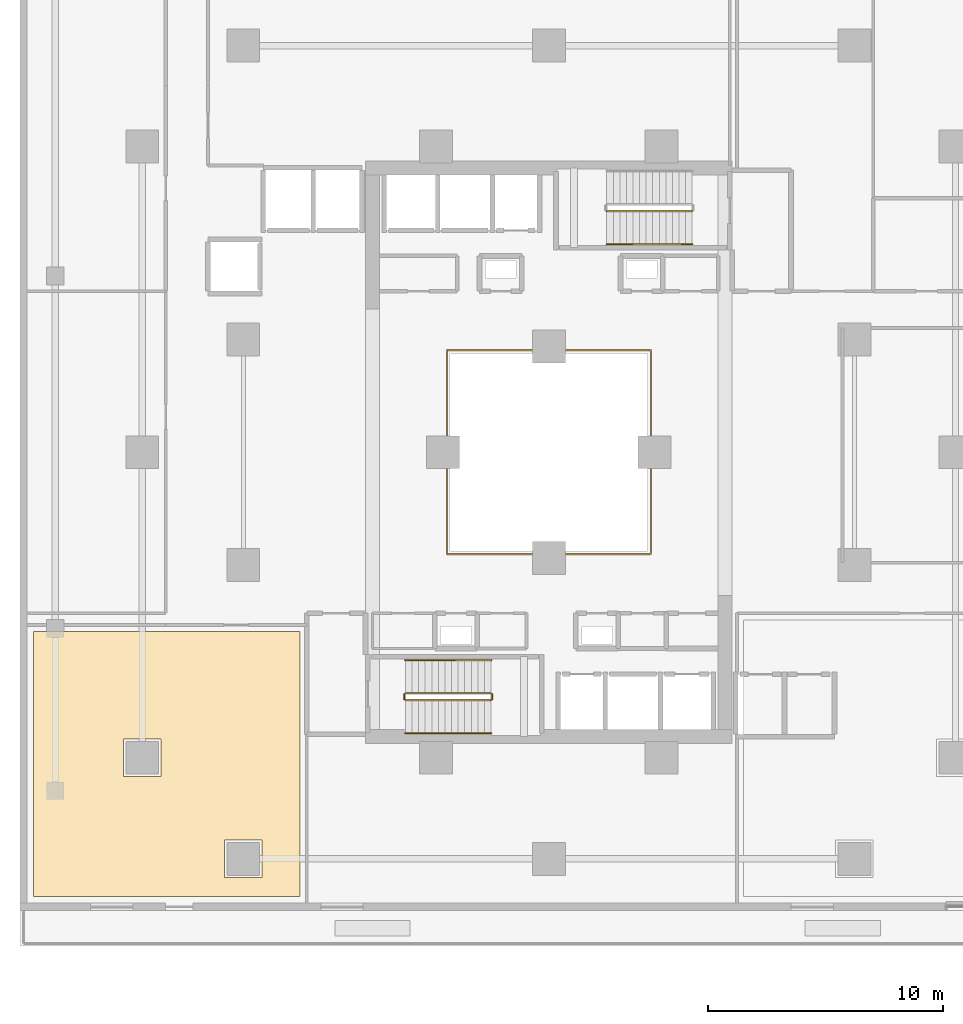
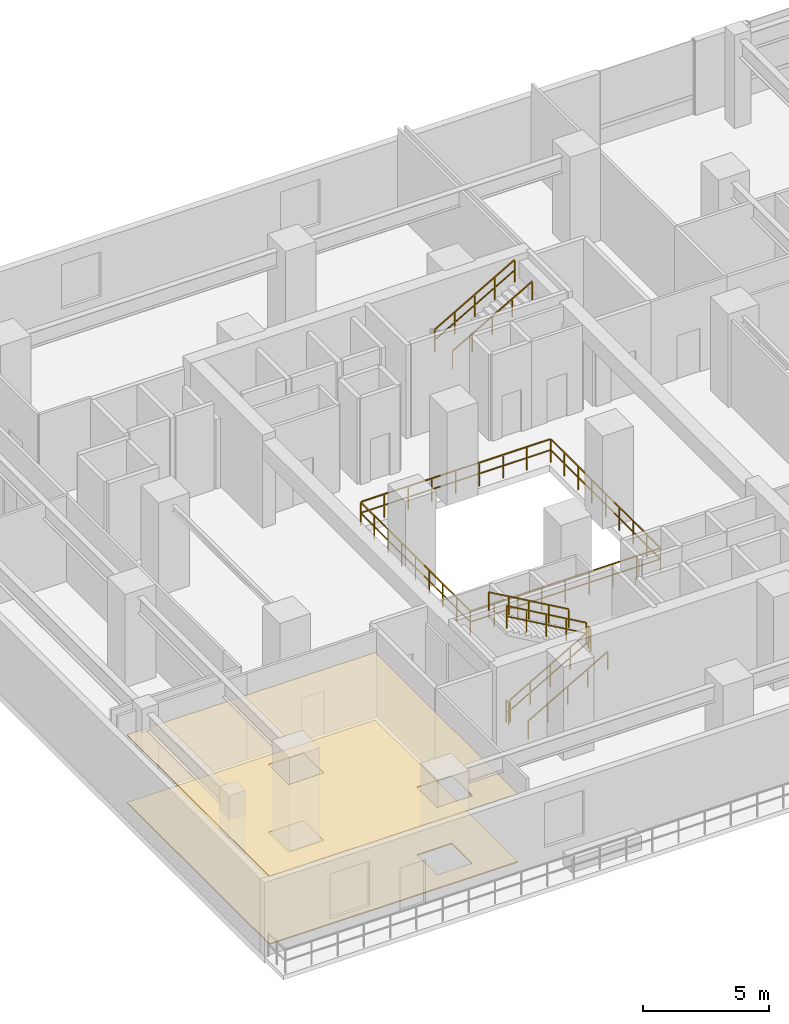
# One storey, part 21 of 25: 9 railings, 2 coverings.
"""IFC4 building model written with IfcOpenShell, lengths in metres."""

import ifcopenshell
import ifcopenshell.guid

model = None  # the IFC model being written
_history = None  # IfcOwnerHistory: only IFC2X3 demands one
_inside = {}  # id of a spatial element -> (the spatial element, [elements in it])
_under = {}  # id of a project, library or spatial element -> (it, [spatial elements below it])
_declared = {}  # id of a project -> (the project, [libraries it declares])
_typed = {}  # id of a type object -> (the type object, [elements of that type])
_made_of = {}  # id of a material, layer set ... -> (it, [elements and type objects made of it])


def new_model(schema):
    """Start an empty IFC model of exactly this schema.

    Asked for "IFC4X3", IfcOpenShell would pick the latest addendum, in which some entities
    have other attributes; the version numbers below select the first issue.
    IFC2X3 requires an IfcOwnerHistory on every rooted entity: one is made here for all.
    """
    global model, _history
    if schema == "IFC4X3":
        model = ifcopenshell.file(schema_version=(4, 3, 0, 0))
    else:
        model = ifcopenshell.file(schema=schema)
    _inside.clear()
    _under.clear()
    _declared.clear()
    _typed.clear()
    _made_of.clear()
    _history = None
    if model.schema == "IFC2X3":
        org = make("IfcOrganization", Name="unknown")
        user = make(
            "IfcPersonAndOrganization",
            ThePerson=make("IfcPerson", FamilyName="unknown"),
            TheOrganization=org,
        )
        app = make(
            "IfcApplication",
            ApplicationDeveloper=org,
            Version="unknown",
            ApplicationFullName="unknown",
            ApplicationIdentifier="unknown",
        )
        _history = make(
            "IfcOwnerHistory",
            OwningUser=user,
            OwningApplication=app,
            ChangeAction="ADDED",
            CreationDate=0,
        )
    return model


def make(cls, **values):
    """One entity of the class cls with the attributes given. An attribute that is None is left unset."""
    return model.create_entity(
        cls, **{name: value for name, value in values.items() if value is not None}
    )


def rooted(cls, **values):
    """An entity with a GlobalId (a new one), such as an element, a storey or a relation."""
    return make(cls, GlobalId=ifcopenshell.guid.new(), OwnerHistory=_history, **values)


def si_unit(unit_type, name, prefix=None):
    """IfcSIUnit, for example si_unit("LENGTHUNIT", "METRE", prefix="MILLI")."""
    return make("IfcSIUnit", UnitType=unit_type, Prefix=prefix, Name=name)


def assignment(units):
    """IfcUnitAssignment: the units of a project."""
    return None if units is None else make("IfcUnitAssignment", Units=units)


def point(xyz):
    """IfcCartesianPoint."""
    return None if xyz is None else make("IfcCartesianPoint", Coordinates=xyz)


def direction(xyz):
    """IfcDirection."""
    return None if xyz is None else make("IfcDirection", DirectionRatios=xyz)


def frame(location, z_axis=None, x_axis=None):
    """IfcAxis2Placement3D, a coordinate frame: its origin and axes. An axis left out is left unset."""
    return make(
        "IfcAxis2Placement3D",
        Location=point(location),
        Axis=direction(z_axis),
        RefDirection=direction(x_axis),
    )


def frame_2d(location, x_axis=None):
    """IfcAxis2Placement2D, a coordinate frame in the plane: its origin and x axis."""
    return make(
        "IfcAxis2Placement2D", Location=point(location), RefDirection=direction(x_axis)
    )


def origin():
    """The frame at (0, 0, 0) with its axes left unset."""
    return frame((0.0, 0.0, 0.0))


def origin_2d():
    """The frame at (0, 0) in the plane with its x axis left unset."""
    return frame_2d((0.0, 0.0))


def place(relative_to, where):
    """IfcLocalPlacement: puts the frame where relative to a parent placement (None: the world)."""
    return make(
        "IfcLocalPlacement", PlacementRelTo=relative_to, RelativePlacement=where
    )


def context(
    kind, dimensions, precision=None, world=None, true_north=None, identifier=None
):
    """IfcGeometricRepresentationContext, for example the 3D "Model" context."""
    return make(
        "IfcGeometricRepresentationContext",
        ContextIdentifier=identifier,
        ContextType=kind,
        CoordinateSpaceDimension=dimensions,
        Precision=precision,
        WorldCoordinateSystem=world,
        TrueNorth=true_north,
    )


def subcontext(parent, identifier, kind, view, scale=None):
    """IfcGeometricRepresentationSubContext, for example "Body" below "Model"."""
    return make(
        "IfcGeometricRepresentationSubContext",
        ContextIdentifier=identifier,
        ContextType=kind,
        ParentContext=parent,
        TargetScale=scale,
        TargetView=view,
    )


def project(units=None, contexts=None):
    """IfcProject with its units and contexts."""
    return rooted(
        "IfcProject",
        Name="project",
        RepresentationContexts=contexts,
        UnitsInContext=assignment(units),
    )


def spatial(cls, under=None, at=None, **own):
    """A site, building, storey or space (cls), placed at a placement, below another one or the project."""
    s = rooted(cls, ObjectPlacement=at, **own)
    if under is not None:
        _under.setdefault(under.id(), (under, []))[1].append(s)
    return s


def polyline(points):
    """IfcPolyline through the points."""
    return make("IfcPolyline", Points=[point(p) for p in points])


def profile(cls, at=None, kind="AREA", **sizes):
    """A parametric profile (cls). Its sizes go by their IFC names, for example OverallWidth=200.0."""
    return make(cls, ProfileType=kind, Position=at, **sizes)


def rectangle(**sizes):
    """IfcRectangleProfileDef."""
    return profile("IfcRectangleProfileDef", **sizes)


def outline(outer, holes=None, kind="AREA"):
    """IfcArbitraryClosedProfileDef: a profile drawn as a closed curve; with holes, ...WithVoids."""
    if holes is None:
        return make("IfcArbitraryClosedProfileDef", ProfileType=kind, OuterCurve=outer)
    return make(
        "IfcArbitraryProfileDefWithVoids",
        ProfileType=kind,
        OuterCurve=outer,
        InnerCurves=holes,
    )


def extrude(swept, where, along, depth):
    """IfcExtrudedAreaSolid: the profile swept, set in the frame where, extruded along a direction by depth."""
    return make(
        "IfcExtrudedAreaSolid",
        SweptArea=swept,
        Position=where,
        ExtrudedDirection=direction(along),
        Depth=depth,
    )


def shape(context_of_items, identifier, shape_type, items):
    """IfcShapeRepresentation: the items that make up one representation, for example the "Body"."""
    return make(
        "IfcShapeRepresentation",
        ContextOfItems=context_of_items,
        RepresentationIdentifier=identifier,
        RepresentationType=shape_type,
        Items=items,
    )


def material(Name=None, Category=None):
    """IfcMaterial."""
    return make("IfcMaterial", Name=Name, Category=Category)


def layer(
    of_material, thickness, ventilated=None, Name=None, Category=None, Priority=None
):
    """IfcMaterialLayer: one layer of a wall or slab, of a material (None: an air gap)."""
    return make(
        "IfcMaterialLayer",
        Material=of_material,
        LayerThickness=thickness,
        IsVentilated=ventilated,
        Name=Name,
        Category=Category,
        Priority=Priority,
    )


def layer_set(layers, Name=None):
    """IfcMaterialLayerSet."""
    return make("IfcMaterialLayerSet", MaterialLayers=layers, LayerSetName=Name)


def made_of(thing, what):
    """Note that an element or type object is made of a material, layer set ...; save() writes the relation."""
    if what is not None:
        _made_of.setdefault(what.id(), (what, []))[1].append(thing)
    return thing


def type_object(cls, material=None, **own):
    """A type object (cls), such as IfcWallType, which elements share."""
    return made_of(rooted(cls, **own), material)


def element(
    cls,
    number,
    at=None,
    inside=None,
    cuts=None,
    type_object=None,
    material=None,
    context=None,
    identifier="Body",
    shape_type=None,
    held_by="IfcProductDefinitionShape",
    body=None,
    shapes=None,
    **own,
):
    """One element of the class cls, such as IfcWall. Its Tag is "e" and its number.

    at: its placement. inside: the storey or other place that contains it. cuts: it is an
    opening in that element (IfcRelVoidsElement). A single representation is given by context,
    identifier, shape_type and body (its items); several are given by shapes. held_by: the class
    of the entity that holds the representations. save() writes the other relations.
    """
    e = rooted(cls, Tag="e%d" % number, ObjectPlacement=at, **own)
    if body is not None:
        shapes = [shape(context, identifier, shape_type, body)]
    if shapes is not None:
        e.Representation = make(held_by, Representations=shapes)
    if inside is not None:
        _inside.setdefault(inside.id(), (inside, []))[1].append(e)
    if cuts is not None:
        rooted(
            "IfcRelVoidsElement", RelatingBuildingElement=cuts, RelatedOpeningElement=e
        )
    if type_object is not None:
        _typed.setdefault(type_object.id(), (type_object, []))[1].append(e)
    return made_of(e, material)


def aggregate(whole, parts):
    """IfcRelAggregates: a whole, such as a stair, and the parts it consists of."""
    return rooted("IfcRelAggregates", RelatingObject=whole, RelatedObjects=parts)


def save(model, path):
    """Write the relations noted so far, then the file.

    IfcRelAggregates (storeys below a building ...), IfcRelContainedInSpatialStructure (elements
    in a storey), IfcRelDefinesByType, IfcRelAssociatesMaterial and IfcRelDeclares: one each for
    every whole, place, type object, material and project.
    """
    for whole, parts in _under.values():
        aggregate(whole, parts)
    for where, things in _inside.values():
        rooted(
            "IfcRelContainedInSpatialStructure",
            RelatedElements=things,
            RelatingStructure=where,
        )
    for kind, things in _typed.values():
        rooted("IfcRelDefinesByType", RelatedObjects=things, RelatingType=kind)
    for what, things in _made_of.values():
        rooted("IfcRelAssociatesMaterial", RelatedObjects=things, RelatingMaterial=what)
    for by, libraries in _declared.values():
        rooted("IfcRelDeclares", RelatingContext=by, RelatedDefinitions=libraries)
    model.write(path)


model = new_model("IFC4")

# Units and contexts
model_context = context("Model", 3, precision=1e-05, world=origin(), true_north=direction((0.0, 1.0)))
body_context = subcontext(model_context, "Body", "Model", "MODEL_VIEW")
ifc_project = project(units=[si_unit("LENGTHUNIT", "METRE"), si_unit("AREAUNIT", "SQUARE_METRE"), si_unit("VOLUMEUNIT", "CUBIC_METRE"), si_unit("PLANEANGLEUNIT", "RADIAN"), si_unit("MASSUNIT", "GRAM", prefix="KILO")], contexts=[model_context])

# Site, building, storey
site_placement = place(None, origin())
site = spatial("IfcSite", under=ifc_project, at=site_placement, CompositionType="ELEMENT")
building_placement = place(site_placement, origin())
building = spatial("IfcBuilding", under=site, at=building_placement, Name="Thornwick Lancets Civic Towers", CompositionType="ELEMENT")
storey_placement = place(building_placement, frame((0.0, 0.0, 9.60009765625)))
storey = spatial("IfcBuildingStorey", under=building, at=storey_placement, Name="L02", CompositionType="ELEMENT", Elevation=9.60009765625)

# Coverings
ifc_material_1 = material(Name="Perforated mineral acoustic ceiling tile")
ifc_layer_1 = layer(ifc_material_1, 0.0400390625, Name="Perforated mineral acoustic ceiling tile")
ifc_layer_set_1 = layer_set([ifc_layer_1], Name="Perforated mineral acoustic ceiling tile")
covering_type_1 = type_object("IfcCoveringType", Name="COV_CEIL_ACOUSTIC", PredefinedType="CEILING", material=ifc_layer_set_1)
covering_1_placement = place(storey_placement, frame((0.0, 0.0, 3.27392578125)))
element("IfcCovering", 1, at=covering_1_placement, inside=storey, type_object=covering_type_1, Name="L02 Ministry Policy Directorate West Ceiling", PredefinedType="CEILING", context=body_context, shape_type="SweptSolid", body=[
    extrude(outline(polyline([(14.919921875, 8.10009765625), (3.580078125, 8.10009765625), (3.580078125, 19.3701171875), (14.919921875, 19.3701171875), (14.919921875, 8.10009765625)]), holes=[polyline([(11.699951171875, 8.89990234375), (13.300048828125, 8.89990234375), (13.300048828125, 10.5), (11.699951171875, 10.5), (11.699951171875, 8.89990234375)]), polyline([(7.39990234375, 13.199951171875), (9.0, 13.199951171875), (9.0, 14.800048828125), (7.39990234375, 14.800048828125), (7.39990234375, 13.199951171875)])]), origin(), (0.0, 0.0, 1.0), 0.0400390625),
])
ifc_material_2 = material(Name="Calcium-sulfate raised access floor panel")
ifc_layer_2 = layer(ifc_material_2, 0.050048828125, Name="Calcium-sulfate raised access floor panel")
ifc_layer_set_2 = layer_set([ifc_layer_2], Name="Calcium-sulfate raised access floor panel")
covering_type_2 = type_object("IfcCoveringType", Name="COV_FLOOR_RAISED", PredefinedType="FLOORING", material=ifc_layer_set_2)
covering_2_placement = place(storey_placement, origin())
element("IfcCovering", 2, at=covering_2_placement, inside=storey, type_object=covering_type_2, Name="L02 Ministry Policy Directorate West Raised Access Flooring", PredefinedType="FLOORING", context=body_context, shape_type="SweptSolid", body=[
    extrude(outline(polyline([(14.919921875, 8.10009765625), (3.580078125, 8.10009765625), (3.580078125, 19.3701171875), (14.919921875, 19.3701171875), (14.919921875, 8.10009765625)]), holes=[polyline([(11.699951171875, 8.89990234375), (13.300048828125, 8.89990234375), (13.300048828125, 10.5), (11.699951171875, 10.5), (11.699951171875, 8.89990234375)]), polyline([(7.39990234375, 13.199951171875), (9.0, 13.199951171875), (9.0, 14.800048828125), (7.39990234375, 14.800048828125), (7.39990234375, 13.199951171875)])]), origin(), (0.0, 0.0, 1.0), 0.0498046875),
])

# Railings
ifc_material_3 = material(Name="Laminated glass and bronze steel S355", Category="steel")
railing_type_1 = type_object("IfcRailingType", Name="RAIL_ATRIUM_GUARD", PredefinedType="BALUSTRADE", material=ifc_material_3)
railing_1_placement = place(storey_placement, frame((21.159912109375, 22.659912109375, 0.0)))
element("IfcRailing", 3, at=railing_1_placement, inside=storey, type_object=railing_type_1, Name="L02 Tower A Central Atrium Guard Balustrade", PredefinedType="BALUSTRADE", context=body_context, shape_type="SweptSolid", body=[
    extrude(rectangle(XDim=0.048095703125, YDim=0.048095703125, at=origin_2d()), frame((0.0, 0.0, 1.1259765625), z_axis=(1.0, 0.0, 0.0), x_axis=(0.0, 1.0, 0.0)), (0.0, 0.0, 1.0), 8.64892578125),
    extrude(rectangle(XDim=0.0419921875, YDim=0.0419921875, at=origin_2d()), frame((0.03759765625, 0.0, 0.597900390625), z_axis=(1.0, 0.0, 0.0), x_axis=(0.0, 1.0, 0.0)), (0.0, 0.0, 1.0), 1.010009765625),
    extrude(rectangle(XDim=0.0419921875, YDim=0.0419921875, at=origin_2d()), frame((1.12255859375, 0.0, 0.597900390625), z_axis=(1.0, 0.0, 0.0), x_axis=(0.0, 1.0, 0.0)), (0.0, 0.0, 1.0), 1.010009765625),
    extrude(rectangle(XDim=0.0419921875, YDim=0.0419921875, at=origin_2d()), frame((2.20751953125, 0.0, 0.597900390625), z_axis=(1.0, 0.0, 0.0), x_axis=(0.0, 1.0, 0.0)), (0.0, 0.0, 1.0), 1.010009765625),
    extrude(rectangle(XDim=0.0419921875, YDim=0.0419921875, at=origin_2d()), frame((3.29248046875, 0.0, 0.597900390625), z_axis=(1.0, 0.0, 0.0), x_axis=(0.0, 1.0, 0.0)), (0.0, 0.0, 1.0), 1.010009765625),
    extrude(rectangle(XDim=0.0419921875, YDim=0.0419921875, at=origin_2d()), frame((4.377685546875, 0.0, 0.597900390625), z_axis=(1.0, 0.0, 0.0), x_axis=(0.0, 1.0, 0.0)), (0.0, 0.0, 1.0), 1.010009765625),
    extrude(rectangle(XDim=0.0419921875, YDim=0.0419921875, at=origin_2d()), frame((5.462646484375, 0.0, 0.597900390625), z_axis=(1.0, 0.0, 0.0), x_axis=(0.0, 1.0, 0.0)), (0.0, 0.0, 1.0), 1.010009765625),
    extrude(rectangle(XDim=0.0419921875, YDim=0.0419921875, at=origin_2d()), frame((6.547607421875, 0.0, 0.597900390625), z_axis=(1.0, 0.0, 0.0), x_axis=(0.0, 1.0, 0.0)), (0.0, 0.0, 1.0), 1.010009765625),
    extrude(rectangle(XDim=0.0419921875, YDim=0.0419921875, at=origin_2d()), frame((7.632568359375, 0.0, 0.597900390625), z_axis=(1.0, 0.0, 0.0), x_axis=(0.0, 1.0, 0.0)), (0.0, 0.0, 1.0), 1.010009765625),
    extrude(rectangle(XDim=0.048095703125, YDim=0.048095703125, at=origin_2d()), frame((8.68017578125, 0.03125, 1.1259765625), z_axis=(0.0, 1.0, 0.0), x_axis=(-1.0, 0.0, 0.0)), (0.0, 0.0, 1.0), 8.61767578125),
    extrude(rectangle(XDim=0.0419921875, YDim=0.0419921875, at=origin_2d()), frame((8.68017578125, 0.03759765625, 0.597900390625), z_axis=(0.0, 1.0, 0.0), x_axis=(-1.0, 0.0, 0.0)), (0.0, 0.0, 1.0), 1.010009765625),
    extrude(rectangle(XDim=0.0419921875, YDim=0.0419921875, at=origin_2d()), frame((8.68017578125, 1.12255859375, 0.597900390625), z_axis=(0.0, 1.0, 0.0), x_axis=(-1.0, 0.0, 0.0)), (0.0, 0.0, 1.0), 1.010009765625),
    extrude(rectangle(XDim=0.0419921875, YDim=0.0419921875, at=origin_2d()), frame((8.68017578125, 2.20751953125, 0.597900390625), z_axis=(0.0, 1.0, 0.0), x_axis=(-1.0, 0.0, 0.0)), (0.0, 0.0, 1.0), 1.010009765625),
    extrude(rectangle(XDim=0.0419921875, YDim=0.0419921875, at=origin_2d()), frame((8.68017578125, 3.29248046875, 0.597900390625), z_axis=(0.0, 1.0, 0.0), x_axis=(-1.0, 0.0, 0.0)), (0.0, 0.0, 1.0), 1.010009765625),
    extrude(rectangle(XDim=0.0419921875, YDim=0.0419921875, at=origin_2d()), frame((8.68017578125, 4.377685546875, 0.597900390625), z_axis=(0.0, 1.0, 0.0), x_axis=(-1.0, 0.0, 0.0)), (0.0, 0.0, 1.0), 1.010009765625),
    extrude(rectangle(XDim=0.0419921875, YDim=0.0419921875, at=origin_2d()), frame((8.68017578125, 5.462646484375, 0.597900390625), z_axis=(0.0, 1.0, 0.0), x_axis=(-1.0, 0.0, 0.0)), (0.0, 0.0, 1.0), 1.010009765625),
    extrude(rectangle(XDim=0.0419921875, YDim=0.0419921875, at=origin_2d()), frame((8.68017578125, 6.547607421875, 0.597900390625), z_axis=(0.0, 1.0, 0.0), x_axis=(-1.0, 0.0, 0.0)), (0.0, 0.0, 1.0), 1.010009765625),
    extrude(rectangle(XDim=0.0419921875, YDim=0.0419921875, at=origin_2d()), frame((8.68017578125, 7.632568359375, 0.597900390625), z_axis=(0.0, 1.0, 0.0), x_axis=(-1.0, 0.0, 0.0)), (0.0, 0.0, 1.0), 1.010009765625),
    extrude(rectangle(XDim=0.048095703125, YDim=0.048095703125, at=origin_2d()), frame((8.64892578125, 8.68017578125, 1.1259765625), z_axis=(-1.0, 0.0, 0.0), x_axis=(0.0, -1.0, 0.0)), (0.0, 0.0, 1.0), 8.61767578125),
    extrude(rectangle(XDim=0.0419921875, YDim=0.0419921875, at=origin_2d()), frame((8.642578125, 8.68017578125, 0.597900390625), z_axis=(-1.0, 0.0, 0.0), x_axis=(0.0, -1.0, 0.0)), (0.0, 0.0, 1.0), 1.010009765625),
    extrude(rectangle(XDim=0.0419921875, YDim=0.0419921875, at=origin_2d()), frame((7.5576171875, 8.68017578125, 0.597900390625), z_axis=(-1.0, 0.0, 0.0), x_axis=(0.0, -1.0, 0.0)), (0.0, 0.0, 1.0), 1.010009765625),
    extrude(rectangle(XDim=0.0419921875, YDim=0.0419921875, at=origin_2d()), frame((6.47265625, 8.68017578125, 0.597900390625), z_axis=(-1.0, 0.0, 0.0), x_axis=(0.0, -1.0, 0.0)), (0.0, 0.0, 1.0), 1.010009765625),
    extrude(rectangle(XDim=0.0419921875, YDim=0.0419921875, at=origin_2d()), frame((5.3876953125, 8.68017578125, 0.597900390625), z_axis=(-1.0, 0.0, 0.0), x_axis=(0.0, -1.0, 0.0)), (0.0, 0.0, 1.0), 1.010009765625),
    extrude(rectangle(XDim=0.0419921875, YDim=0.0419921875, at=origin_2d()), frame((4.302490234375, 8.68017578125, 0.597900390625), z_axis=(-1.0, 0.0, 0.0), x_axis=(0.0, -1.0, 0.0)), (0.0, 0.0, 1.0), 1.010009765625),
    extrude(rectangle(XDim=0.0419921875, YDim=0.0419921875, at=origin_2d()), frame((3.217529296875, 8.68017578125, 0.597900390625), z_axis=(-1.0, 0.0, 0.0), x_axis=(0.0, -1.0, 0.0)), (0.0, 0.0, 1.0), 1.010009765625),
    extrude(rectangle(XDim=0.0419921875, YDim=0.0419921875, at=origin_2d()), frame((2.132568359375, 8.68017578125, 0.597900390625), z_axis=(-1.0, 0.0, 0.0), x_axis=(0.0, -1.0, 0.0)), (0.0, 0.0, 1.0), 1.010009765625),
    extrude(rectangle(XDim=0.0419921875, YDim=0.0419921875, at=origin_2d()), frame((1.047607421875, 8.68017578125, 0.597900390625), z_axis=(-1.0, 0.0, 0.0), x_axis=(0.0, -1.0, 0.0)), (0.0, 0.0, 1.0), 1.010009765625),
    extrude(rectangle(XDim=0.048095703125, YDim=0.048095703125, at=origin_2d()), frame((0.0, 8.64892578125, 1.1259765625), z_axis=(0.0, -1.0, 0.0), x_axis=(1.0, 0.0, 0.0)), (0.0, 0.0, 1.0), 8.64892578125),
    extrude(rectangle(XDim=0.0419921875, YDim=0.0419921875, at=origin_2d()), frame((0.0, 8.642578125, 0.597900390625), z_axis=(0.0, -1.0, 0.0), x_axis=(1.0, 0.0, 0.0)), (0.0, 0.0, 1.0), 1.010009765625),
    extrude(rectangle(XDim=0.0419921875, YDim=0.0419921875, at=origin_2d()), frame((0.0, 7.5576171875, 0.597900390625), z_axis=(0.0, -1.0, 0.0), x_axis=(1.0, 0.0, 0.0)), (0.0, 0.0, 1.0), 1.010009765625),
    extrude(rectangle(XDim=0.0419921875, YDim=0.0419921875, at=origin_2d()), frame((0.0, 6.47265625, 0.597900390625), z_axis=(0.0, -1.0, 0.0), x_axis=(1.0, 0.0, 0.0)), (0.0, 0.0, 1.0), 1.010009765625),
    extrude(rectangle(XDim=0.0419921875, YDim=0.0419921875, at=origin_2d()), frame((0.0, 5.3876953125, 0.597900390625), z_axis=(0.0, -1.0, 0.0), x_axis=(1.0, 0.0, 0.0)), (0.0, 0.0, 1.0), 1.010009765625),
    extrude(rectangle(XDim=0.0419921875, YDim=0.0419921875, at=origin_2d()), frame((0.0, 4.302490234375, 0.597900390625), z_axis=(0.0, -1.0, 0.0), x_axis=(1.0, 0.0, 0.0)), (0.0, 0.0, 1.0), 1.010009765625),
    extrude(rectangle(XDim=0.0419921875, YDim=0.0419921875, at=origin_2d()), frame((0.0, 3.217529296875, 0.597900390625), z_axis=(0.0, -1.0, 0.0), x_axis=(1.0, 0.0, 0.0)), (0.0, 0.0, 1.0), 1.010009765625),
    extrude(rectangle(XDim=0.0419921875, YDim=0.0419921875, at=origin_2d()), frame((0.0, 2.132568359375, 0.597900390625), z_axis=(0.0, -1.0, 0.0), x_axis=(1.0, 0.0, 0.0)), (0.0, 0.0, 1.0), 1.010009765625),
    extrude(rectangle(XDim=0.0419921875, YDim=0.0419921875, at=origin_2d()), frame((0.0, 1.047607421875, 0.597900390625), z_axis=(0.0, -1.0, 0.0), x_axis=(1.0, 0.0, 0.0)), (0.0, 0.0, 1.0), 1.010009765625),
    extrude(rectangle(XDim=0.0419921875, YDim=0.0419921875, at=origin_2d()), origin(), (0.0, 0.0, 1.0), 1.095703125),
    extrude(rectangle(XDim=0.0419921875, YDim=0.0419921875, at=origin_2d()), frame((1.0849609375, 0.0, 0.0)), (0.0, 0.0, 1.0), 1.095703125),
    extrude(rectangle(XDim=0.0419921875, YDim=0.0419921875, at=origin_2d()), frame((2.169921875, 0.0, 0.0)), (0.0, 0.0, 1.0), 1.095703125),
    extrude(rectangle(XDim=0.0419921875, YDim=0.0419921875, at=origin_2d()), frame((3.255126953125, 0.0, 0.0)), (0.0, 0.0, 1.0), 1.095703125),
    extrude(rectangle(XDim=0.0419921875, YDim=0.0419921875, at=origin_2d()), frame((4.340087890625, 0.0, 0.0)), (0.0, 0.0, 1.0), 1.095703125),
    extrude(rectangle(XDim=0.0419921875, YDim=0.0419921875, at=origin_2d()), frame((5.425048828125, 0.0, 0.0)), (0.0, 0.0, 1.0), 1.095703125),
    extrude(rectangle(XDim=0.0419921875, YDim=0.0419921875, at=origin_2d()), frame((6.51025390625, 0.0, 0.0)), (0.0, 0.0, 1.0), 1.095703125),
    extrude(rectangle(XDim=0.0419921875, YDim=0.0419921875, at=origin_2d()), frame((7.59521484375, 0.0, 0.0)), (0.0, 0.0, 1.0), 1.095703125),
    extrude(rectangle(XDim=0.0419921875, YDim=0.0419921875, at=origin_2d()), frame((8.68017578125, 0.0, 0.0)), (0.0, 0.0, 1.0), 1.095703125),
    extrude(rectangle(XDim=0.0419921875, YDim=0.0419921875, at=origin_2d()), frame((8.68017578125, 1.0849609375, 0.0)), (0.0, 0.0, 1.0), 1.095703125),
    extrude(rectangle(XDim=0.0419921875, YDim=0.0419921875, at=origin_2d()), frame((8.68017578125, 2.169921875, 0.0)), (0.0, 0.0, 1.0), 1.095703125),
    extrude(rectangle(XDim=0.0419921875, YDim=0.0419921875, at=origin_2d()), frame((8.68017578125, 3.255126953125, 0.0)), (0.0, 0.0, 1.0), 1.095703125),
    extrude(rectangle(XDim=0.0419921875, YDim=0.0419921875, at=origin_2d()), frame((8.68017578125, 4.340087890625, 0.0)), (0.0, 0.0, 1.0), 1.095703125),
    extrude(rectangle(XDim=0.0419921875, YDim=0.0419921875, at=origin_2d()), frame((8.68017578125, 5.425048828125, 0.0)), (0.0, 0.0, 1.0), 1.095703125),
    extrude(rectangle(XDim=0.0419921875, YDim=0.0419921875, at=origin_2d()), frame((8.68017578125, 6.51025390625, 0.0)), (0.0, 0.0, 1.0), 1.095703125),
    extrude(rectangle(XDim=0.0419921875, YDim=0.0419921875, at=origin_2d()), frame((8.68017578125, 7.59521484375, 0.0)), (0.0, 0.0, 1.0), 1.095703125),
    extrude(rectangle(XDim=0.0419921875, YDim=0.0419921875, at=origin_2d()), frame((8.68017578125, 8.68017578125, 0.0)), (0.0, 0.0, 1.0), 1.095703125),
    extrude(rectangle(XDim=0.0419921875, YDim=0.0419921875, at=origin_2d()), frame((7.59521484375, 8.68017578125, 0.0)), (0.0, 0.0, 1.0), 1.095703125),
    extrude(rectangle(XDim=0.0419921875, YDim=0.0419921875, at=origin_2d()), frame((6.51025390625, 8.68017578125, 0.0)), (0.0, 0.0, 1.0), 1.095703125),
    extrude(rectangle(XDim=0.0419921875, YDim=0.0419921875, at=origin_2d()), frame((5.425048828125, 8.68017578125, 0.0)), (0.0, 0.0, 1.0), 1.095703125),
    extrude(rectangle(XDim=0.0419921875, YDim=0.0419921875, at=origin_2d()), frame((4.340087890625, 8.68017578125, 0.0)), (0.0, 0.0, 1.0), 1.095703125),
    extrude(rectangle(XDim=0.0419921875, YDim=0.0419921875, at=origin_2d()), frame((3.255126953125, 8.68017578125, 0.0)), (0.0, 0.0, 1.0), 1.095703125),
    extrude(rectangle(XDim=0.0419921875, YDim=0.0419921875, at=origin_2d()), frame((2.169921875, 8.68017578125, 0.0)), (0.0, 0.0, 1.0), 1.095703125),
    extrude(rectangle(XDim=0.0419921875, YDim=0.0419921875, at=origin_2d()), frame((1.0849609375, 8.68017578125, 0.0)), (0.0, 0.0, 1.0), 1.095703125),
    extrude(rectangle(XDim=0.0419921875, YDim=0.0419921875, at=origin_2d()), frame((0.0, 8.68017578125, 0.0)), (0.0, 0.0, 1.0), 1.095703125),
    extrude(rectangle(XDim=0.0419921875, YDim=0.0419921875, at=origin_2d()), frame((0.0, 7.59521484375, 0.0)), (0.0, 0.0, 1.0), 1.095703125),
    extrude(rectangle(XDim=0.0419921875, YDim=0.0419921875, at=origin_2d()), frame((0.0, 6.51025390625, 0.0)), (0.0, 0.0, 1.0), 1.095703125),
    extrude(rectangle(XDim=0.0419921875, YDim=0.0419921875, at=origin_2d()), frame((0.0, 5.425048828125, 0.0)), (0.0, 0.0, 1.0), 1.095703125),
    extrude(rectangle(XDim=0.0419921875, YDim=0.0419921875, at=origin_2d()), frame((0.0, 4.340087890625, 0.0)), (0.0, 0.0, 1.0), 1.095703125),
    extrude(rectangle(XDim=0.0419921875, YDim=0.0419921875, at=origin_2d()), frame((0.0, 3.255126953125, 0.0)), (0.0, 0.0, 1.0), 1.095703125),
    extrude(rectangle(XDim=0.0419921875, YDim=0.0419921875, at=origin_2d()), frame((0.0, 2.169921875, 0.0)), (0.0, 0.0, 1.0), 1.095703125),
    extrude(rectangle(XDim=0.0419921875, YDim=0.0419921875, at=origin_2d()), frame((0.0, 1.0849609375, 0.0)), (0.0, 0.0, 1.0), 1.095703125),
])
ifc_material_4 = material(Name="Brushed stainless steel S355", Category="steel")
railing_type_2 = type_object("IfcRailingType", Name="RAIL_HANDRAIL", PredefinedType="HANDRAIL", material=ifc_material_4)
railing_2_placement = place(storey_placement, frame((19.39990234375, 15.050048828125, 0.16064453125)))
element("IfcRailing", 4, at=railing_2_placement, inside=storey, type_object=railing_type_2, Name="L02 ST-A1 stair handrail 1", PredefinedType="HANDRAIL", context=body_context, shape_type="SweptSolid", body=[
    extrude(rectangle(XDim=0.048095703125, YDim=0.048095703125, at=origin_2d()), frame((0.0, 0.0, 0.8857421875), z_axis=(0.867289372828, 0.0, 0.497804322781), x_axis=(0.0, 1.0, 0.0)), (0.0, 0.0, 1.0), 4.197021484375),
    extrude(rectangle(XDim=0.0419921875, YDim=0.0419921875, at=origin_2d()), origin(), (0.0, 0.0, 1.0), 0.855712890625),
    extrude(rectangle(XDim=0.0419921875, YDim=0.0419921875, at=origin_2d()), frame((0.91015625, 0.0, 0.5224609375)), (0.0, 0.0, 1.0), 0.855712890625),
    extrude(rectangle(XDim=0.0419921875, YDim=0.0419921875, at=origin_2d()), frame((1.820068359375, 0.0, 1.044677734375)), (0.0, 0.0, 1.0), 0.855712890625),
    extrude(rectangle(XDim=0.0419921875, YDim=0.0419921875, at=origin_2d()), frame((2.72998046875, 0.0, 1.56689453125)), (0.0, 0.0, 1.0), 0.855712890625),
    extrude(rectangle(XDim=0.0419921875, YDim=0.0419921875, at=origin_2d()), frame((3.64013671875, 0.0, 2.08935546875)), (0.0, 0.0, 1.0), 0.855712890625),
])
railing_3_placement = place(storey_placement, frame((23.0400390625, 18.14990234375, 2.41064453125)))
element("IfcRailing", 5, at=railing_3_placement, inside=storey, type_object=railing_type_2, Name="L02 ST-A1 stair handrail 2", PredefinedType="HANDRAIL", context=body_context, shape_type="SweptSolid", body=[
    extrude(rectangle(XDim=0.048095703125, YDim=0.048095703125, at=origin_2d()), frame((0.0, 0.0, 0.8857421875), z_axis=(-0.867289372828, 0.0, 0.497804322781), x_axis=(0.0, -1.0, 0.0)), (0.0, 0.0, 1.0), 4.197021484375),
    extrude(rectangle(XDim=0.0419921875, YDim=0.0419921875, at=origin_2d()), origin(), (0.0, 0.0, 1.0), 0.855712890625),
    extrude(rectangle(XDim=0.0419921875, YDim=0.0419921875, at=origin_2d()), frame((-0.91015625, 0.0, 0.5224609375)), (0.0, 0.0, 1.0), 0.855712890625),
    extrude(rectangle(XDim=0.0419921875, YDim=0.0419921875, at=origin_2d()), frame((-1.820068359375, 0.0, 1.044677734375)), (0.0, 0.0, 1.0), 0.855712890625),
    extrude(rectangle(XDim=0.0419921875, YDim=0.0419921875, at=origin_2d()), frame((-2.72998046875, 0.0, 1.56689453125)), (0.0, 0.0, 1.0), 0.855712890625),
    extrude(rectangle(XDim=0.0419921875, YDim=0.0419921875, at=origin_2d()), frame((-3.64013671875, 0.0, 2.08935546875)), (0.0, 0.0, 1.0), 0.855712890625),
])
railing_4_placement = place(storey_placement, frame((27.9599609375, 35.85009765625, 2.41064453125)))
element("IfcRailing", 6, at=railing_4_placement, inside=storey, type_object=railing_type_2, Name="L02 ST-A2 stair handrail 2", PredefinedType="HANDRAIL", context=body_context, shape_type="SweptSolid", body=[
    extrude(rectangle(XDim=0.048095703125, YDim=0.048095703125, at=origin_2d()), frame((0.0, 0.0, 0.8857421875), z_axis=(0.867289372828, 0.0, 0.497804322781), x_axis=(0.0, 1.0, 0.0)), (0.0, 0.0, 1.0), 4.197021484375),
    extrude(rectangle(XDim=0.0419921875, YDim=0.0419921875, at=origin_2d()), origin(), (0.0, 0.0, 1.0), 0.855712890625),
    extrude(rectangle(XDim=0.0419921875, YDim=0.0419921875, at=origin_2d()), frame((0.91015625, 0.0, 0.5224609375)), (0.0, 0.0, 1.0), 0.855712890625),
    extrude(rectangle(XDim=0.0419921875, YDim=0.0419921875, at=origin_2d()), frame((1.820068359375, 0.0, 1.044677734375)), (0.0, 0.0, 1.0), 0.855712890625),
    extrude(rectangle(XDim=0.0419921875, YDim=0.0419921875, at=origin_2d()), frame((2.72998046875, 0.0, 1.56689453125)), (0.0, 0.0, 1.0), 0.855712890625),
    extrude(rectangle(XDim=0.0419921875, YDim=0.0419921875, at=origin_2d()), frame((3.64013671875, 0.0, 2.08935546875)), (0.0, 0.0, 1.0), 0.855712890625),
])
ifc_material_5 = material(Name="Steel S355JR", Category="steel")
railing_type_3 = type_object("IfcRailingType", Name="RAIL_STAIR_GUARD", PredefinedType="GUARDRAIL", material=ifc_material_5)
railing_5_placement = place(storey_placement, frame((19.39990234375, 16.449951171875, 0.16064453125)))
element("IfcRailing", 7, at=railing_5_placement, inside=storey, type_object=railing_type_3, Name="L02 ST-A1 stair guard 1", PredefinedType="GUARDRAIL", context=body_context, shape_type="SweptSolid", body=[
    extrude(rectangle(XDim=0.048095703125, YDim=0.048095703125, at=origin_2d()), frame((0.0, 0.0, 1.076171875), z_axis=(0.867289372828, 0.0, 0.497804322781), x_axis=(0.0, 1.0, 0.0)), (0.0, 0.0, 1.0), 4.197021484375),
    extrude(rectangle(XDim=0.0419921875, YDim=0.0419921875, at=origin_2d()), frame((0.032470703125, 0.0, 0.5908203125), z_axis=(0.867289372828, 0.0, 0.497804322781), x_axis=(0.0, 1.0, 0.0)), (0.0, 0.0, 1.0), 0.974365234375),
    extrude(rectangle(XDim=0.0419921875, YDim=0.0419921875, at=origin_2d()), frame((0.942626953125, 0.0, 1.113037109375), z_axis=(0.867289372828, 0.0, 0.497804322781), x_axis=(0.0, 1.0, 0.0)), (0.0, 0.0, 1.0), 0.974365234375),
    extrude(rectangle(XDim=0.0419921875, YDim=0.0419921875, at=origin_2d()), frame((1.8525390625, 0.0, 1.635498046875), z_axis=(0.867289372828, 0.0, 0.497804322781), x_axis=(0.0, 1.0, 0.0)), (0.0, 0.0, 1.0), 0.974365234375),
    extrude(rectangle(XDim=0.0419921875, YDim=0.0419921875, at=origin_2d()), frame((2.7626953125, 0.0, 2.15771484375), z_axis=(0.867289372828, 0.0, 0.497804322781), x_axis=(0.0, 1.0, 0.0)), (0.0, 0.0, 1.0), 0.974365234375),
    extrude(rectangle(XDim=0.0419921875, YDim=0.0419921875, at=origin_2d()), origin(), (0.0, 0.0, 1.0), 1.0458984375),
    extrude(rectangle(XDim=0.0419921875, YDim=0.0419921875, at=origin_2d()), frame((0.91015625, 0.0, 0.5224609375)), (0.0, 0.0, 1.0), 1.0458984375),
    extrude(rectangle(XDim=0.0419921875, YDim=0.0419921875, at=origin_2d()), frame((1.820068359375, 0.0, 1.044677734375)), (0.0, 0.0, 1.0), 1.0458984375),
    extrude(rectangle(XDim=0.0419921875, YDim=0.0419921875, at=origin_2d()), frame((2.72998046875, 0.0, 1.56689453125)), (0.0, 0.0, 1.0), 1.0458984375),
    extrude(rectangle(XDim=0.0419921875, YDim=0.0419921875, at=origin_2d()), frame((3.64013671875, 0.0, 2.08935546875)), (0.0, 0.0, 1.0), 1.0458984375),
])
railing_6_placement = place(storey_placement, frame((23.090087890625, 16.5, 2.25)))
element("IfcRailing", 8, at=railing_6_placement, inside=storey, type_object=railing_type_3, Name="L02 ST-A1 stair guard 2", PredefinedType="GUARDRAIL", context=body_context, shape_type="SweptSolid", body=[
    extrude(rectangle(XDim=0.048095703125, YDim=0.048095703125, at=origin_2d()), frame((0.0, 0.0, 1.076171875), z_axis=(0.0, 1.0, 0.0), x_axis=(-1.0, 0.0, 0.0)), (0.0, 0.0, 1.0), 0.199951171875),
    extrude(rectangle(XDim=0.0419921875, YDim=0.0419921875, at=origin_2d()), frame((0.0, 0.03759765625, 0.572021484375), z_axis=(0.0, 1.0, 0.0), x_axis=(-1.0, 0.0, 0.0)), (0.0, 0.0, 1.0), 0.125),
    extrude(rectangle(XDim=0.0419921875, YDim=0.0419921875, at=origin_2d()), origin(), (0.0, 0.0, 1.0), 1.0458984375),
    extrude(rectangle(XDim=0.0419921875, YDim=0.0419921875, at=origin_2d()), frame((0.0, 0.199951171875, 0.0)), (0.0, 0.0, 1.0), 1.0458984375),
])
railing_7_placement = place(storey_placement, frame((23.0400390625, 16.75, 2.41064453125)))
element("IfcRailing", 9, at=railing_7_placement, inside=storey, type_object=railing_type_3, Name="L02 ST-A1 stair guard 3", PredefinedType="GUARDRAIL", context=body_context, shape_type="SweptSolid", body=[
    extrude(rectangle(XDim=0.048095703125, YDim=0.048095703125, at=origin_2d()), frame((0.0, 0.0, 1.076171875), z_axis=(-0.867289372828, 0.0, 0.497804322781), x_axis=(0.0, -1.0, 0.0)), (0.0, 0.0, 1.0), 4.197021484375),
    extrude(rectangle(XDim=0.0419921875, YDim=0.0419921875, at=origin_2d()), frame((-0.032470703125, 0.0, 0.5908203125), z_axis=(-0.867289372828, 0.0, 0.497804322781), x_axis=(0.0, -1.0, 0.0)), (0.0, 0.0, 1.0), 0.974365234375),
    extrude(rectangle(XDim=0.0419921875, YDim=0.0419921875, at=origin_2d()), frame((-0.942626953125, 0.0, 1.113037109375), z_axis=(-0.867289372828, 0.0, 0.497804322781), x_axis=(0.0, -1.0, 0.0)), (0.0, 0.0, 1.0), 0.974365234375),
    extrude(rectangle(XDim=0.0419921875, YDim=0.0419921875, at=origin_2d()), frame((-1.8525390625, 0.0, 1.635498046875), z_axis=(-0.867289372828, 0.0, 0.497804322781), x_axis=(0.0, -1.0, 0.0)), (0.0, 0.0, 1.0), 0.974365234375),
    extrude(rectangle(XDim=0.0419921875, YDim=0.0419921875, at=origin_2d()), frame((-2.7626953125, 0.0, 2.15771484375), z_axis=(-0.867289372828, 0.0, 0.497804322781), x_axis=(0.0, -1.0, 0.0)), (0.0, 0.0, 1.0), 0.974365234375),
    extrude(rectangle(XDim=0.0419921875, YDim=0.0419921875, at=origin_2d()), origin(), (0.0, 0.0, 1.0), 1.0458984375),
    extrude(rectangle(XDim=0.0419921875, YDim=0.0419921875, at=origin_2d()), frame((-0.91015625, 0.0, 0.5224609375)), (0.0, 0.0, 1.0), 1.0458984375),
    extrude(rectangle(XDim=0.0419921875, YDim=0.0419921875, at=origin_2d()), frame((-1.820068359375, 0.0, 1.044677734375)), (0.0, 0.0, 1.0), 1.0458984375),
    extrude(rectangle(XDim=0.0419921875, YDim=0.0419921875, at=origin_2d()), frame((-2.72998046875, 0.0, 1.56689453125)), (0.0, 0.0, 1.0), 1.0458984375),
    extrude(rectangle(XDim=0.0419921875, YDim=0.0419921875, at=origin_2d()), frame((-3.64013671875, 0.0, 2.08935546875)), (0.0, 0.0, 1.0), 1.0458984375),
])
railing_8_placement = place(storey_placement, frame((19.35009765625, 16.5, 0.0)))
element("IfcRailing", 10, at=railing_8_placement, inside=storey, type_object=railing_type_3, Name="L02 ST-A1 stair guard 4", PredefinedType="GUARDRAIL", context=body_context, shape_type="SweptSolid", body=[
    extrude(rectangle(XDim=0.048095703125, YDim=0.048095703125, at=origin_2d()), frame((0.0, 0.0, 1.076171875), z_axis=(0.0, 1.0, 0.0), x_axis=(-1.0, 0.0, 0.0)), (0.0, 0.0, 1.0), 0.199951171875),
    extrude(rectangle(XDim=0.0419921875, YDim=0.0419921875, at=origin_2d()), frame((0.0, 0.03759765625, 0.572021484375), z_axis=(0.0, 1.0, 0.0), x_axis=(-1.0, 0.0, 0.0)), (0.0, 0.0, 1.0), 0.125),
    extrude(rectangle(XDim=0.0419921875, YDim=0.0419921875, at=origin_2d()), origin(), (0.0, 0.0, 1.0), 1.0458984375),
    extrude(rectangle(XDim=0.0419921875, YDim=0.0419921875, at=origin_2d()), frame((0.0, 0.199951171875, 0.0)), (0.0, 0.0, 1.0), 1.0458984375),
])
railing_9_placement = place(storey_placement, frame((27.9599609375, 37.25, 2.41064453125)))
element("IfcRailing", 11, at=railing_9_placement, inside=storey, type_object=railing_type_3, Name="L02 ST-A2 stair guard 3", PredefinedType="GUARDRAIL", context=body_context, shape_type="SweptSolid", body=[
    extrude(rectangle(XDim=0.048095703125, YDim=0.048095703125, at=origin_2d()), frame((0.0, 0.0, 1.076171875), z_axis=(0.867289372828, 0.0, 0.497804322781), x_axis=(0.0, 1.0, 0.0)), (0.0, 0.0, 1.0), 4.197021484375),
    extrude(rectangle(XDim=0.0419921875, YDim=0.0419921875, at=origin_2d()), frame((0.032470703125, 0.0, 0.5908203125), z_axis=(0.867289372828, 0.0, 0.497804322781), x_axis=(0.0, 1.0, 0.0)), (0.0, 0.0, 1.0), 0.974365234375),
    extrude(rectangle(XDim=0.0419921875, YDim=0.0419921875, at=origin_2d()), frame((0.942626953125, 0.0, 1.113037109375), z_axis=(0.867289372828, 0.0, 0.497804322781), x_axis=(0.0, 1.0, 0.0)), (0.0, 0.0, 1.0), 0.974365234375),
    extrude(rectangle(XDim=0.0419921875, YDim=0.0419921875, at=origin_2d()), frame((1.8525390625, 0.0, 1.635498046875), z_axis=(0.867289372828, 0.0, 0.497804322781), x_axis=(0.0, 1.0, 0.0)), (0.0, 0.0, 1.0), 0.974365234375),
    extrude(rectangle(XDim=0.0419921875, YDim=0.0419921875, at=origin_2d()), frame((2.7626953125, 0.0, 2.15771484375), z_axis=(0.867289372828, 0.0, 0.497804322781), x_axis=(0.0, 1.0, 0.0)), (0.0, 0.0, 1.0), 0.974365234375),
    extrude(rectangle(XDim=0.0419921875, YDim=0.0419921875, at=origin_2d()), origin(), (0.0, 0.0, 1.0), 1.0458984375),
    extrude(rectangle(XDim=0.0419921875, YDim=0.0419921875, at=origin_2d()), frame((0.91015625, 0.0, 0.5224609375)), (0.0, 0.0, 1.0), 1.0458984375),
    extrude(rectangle(XDim=0.0419921875, YDim=0.0419921875, at=origin_2d()), frame((1.820068359375, 0.0, 1.044677734375)), (0.0, 0.0, 1.0), 1.0458984375),
    extrude(rectangle(XDim=0.0419921875, YDim=0.0419921875, at=origin_2d()), frame((2.72998046875, 0.0, 1.56689453125)), (0.0, 0.0, 1.0), 1.0458984375),
    extrude(rectangle(XDim=0.0419921875, YDim=0.0419921875, at=origin_2d()), frame((3.64013671875, 0.0, 2.08935546875)), (0.0, 0.0, 1.0), 1.0458984375),
])

save(model, "model.ifc")
